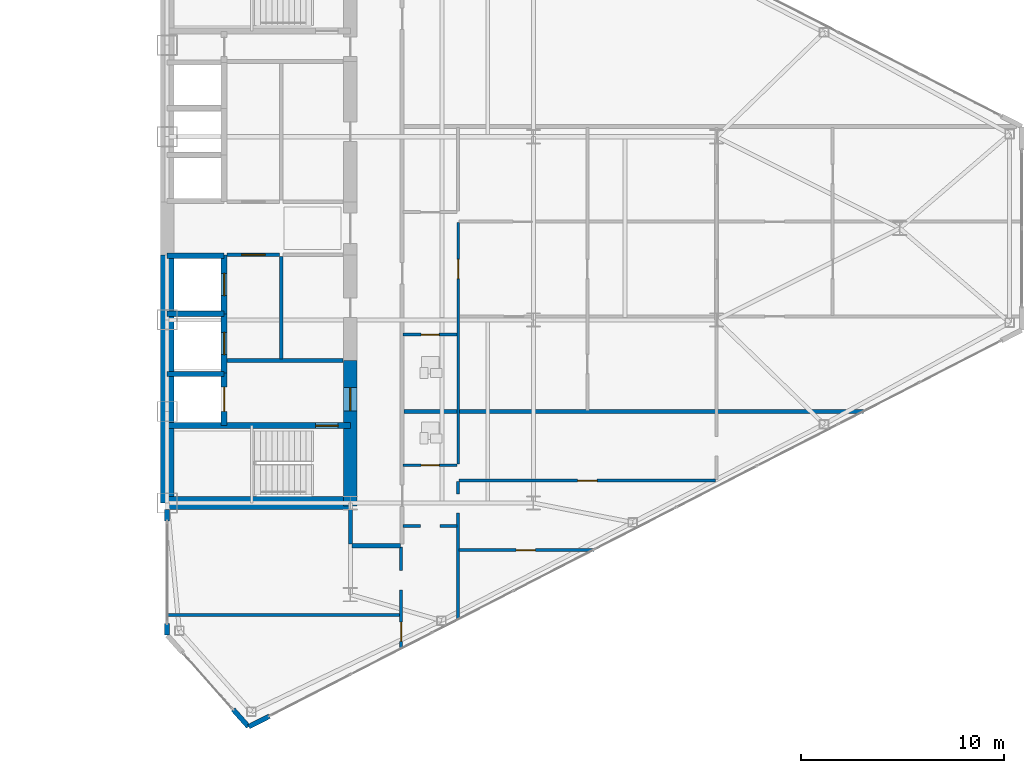
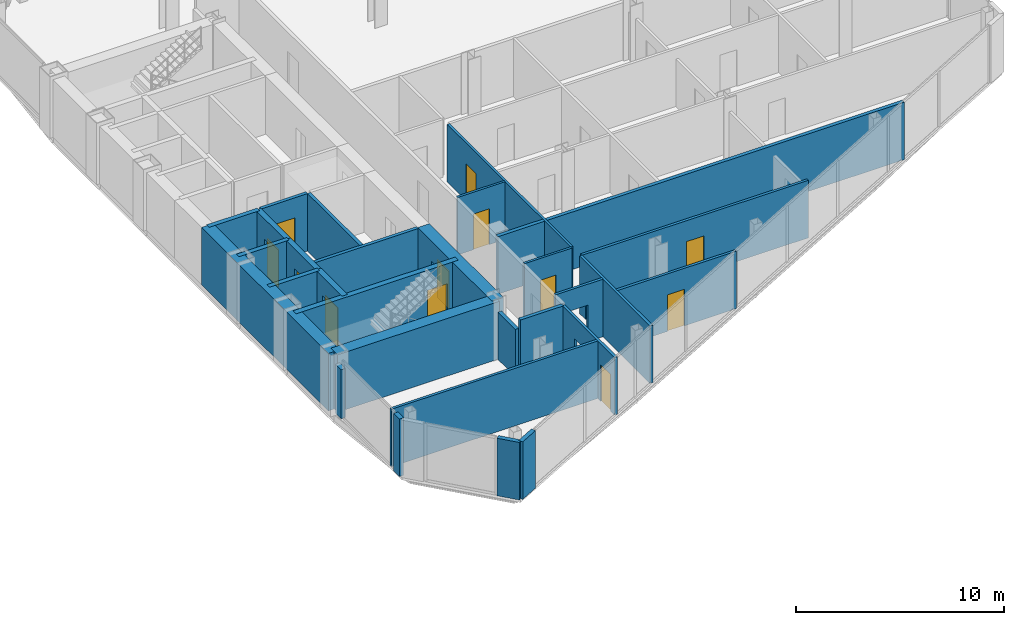
# One storey, part 18 of 23: 29 walls, 12 doors, 15 openings.
"""IFC4 building model written with IfcOpenShell, lengths in metres."""

from ifc_helpers import new_model, si_unit, direction, frame, frame_2d, origin, place, context, subcontext, project, spatial, rectangle, extrude, source, transform, mapped, material, layer, layer_set, type_object, type_shapes, element, fill, save


model = new_model("IFC4")

# Units and contexts
model_context = context("Model", 3, precision=1e-05, world=origin(), true_north=direction((0.0, 1.0)))
body_context = subcontext(model_context, "Body", "Model", "MODEL_VIEW")
ifc_project = project(units=[si_unit("LENGTHUNIT", "METRE"), si_unit("AREAUNIT", "SQUARE_METRE"), si_unit("VOLUMEUNIT", "CUBIC_METRE"), si_unit("PLANEANGLEUNIT", "RADIAN"), si_unit("MASSUNIT", "GRAM", prefix="KILO")], contexts=[model_context])

# Site, building, storey
site_placement = place(None, origin())
site = spatial("IfcSite", under=ifc_project, at=site_placement, CompositionType="ELEMENT")
building_placement = place(site_placement, origin())
building = spatial("IfcBuilding", under=site, at=building_placement, Name="Seokmaru Belvedere", CompositionType="ELEMENT")
storey_placement = place(building_placement, frame((0.0, 0.0, 128.39990234375)))
storey = spatial("IfcBuildingStorey", under=building, at=storey_placement, Name="L34", CompositionType="ELEMENT", Elevation=128.39990234375)

# Wall
ifc_material_1 = material(Name="Fire-Rated Gypsum Shaftwall")
ifc_layer_1 = layer(ifc_material_1, 0.14990234375)
ifc_layer_set_1 = layer_set([ifc_layer_1], Name="Fire-Rated Gypsum Shaftwall")
wall_type_1 = type_object("IfcWallType", Name="Apartment Fire-Acoustic Room Partition 150", PredefinedType="PARTITIONING", material=ifc_layer_set_1)
wall_1_placement = place(storey_placement, frame((27.465087890625, -19.0, 0.0), z_axis=(0.0, 0.0, 1.0), x_axis=(1.0, 0.0, 0.0)))
element("IfcWall", 1, at=wall_1_placement, inside=storey, type_object=wall_type_1, Name="L34 Interior Partition 001", PredefinedType="PARTITIONING", context=body_context, shape_type="SweptSolid", body=[
    extrude(rectangle(XDim=11.48486328125, YDim=0.14990234375, at=frame_2d((5.742431640625, 0.0))), origin(), (0.0, 0.0, 1.0), 3.380126953125),
])

# Wall, opening, door
wall_2_placement = place(storey_placement, frame((41.85009765625, -15.81005859375, 0.0), z_axis=(0.0, 0.0, 1.0), x_axis=(1.0, 0.0, 0.0)))
wall_2 = element("IfcWall", 2, at=wall_2_placement, inside=storey, type_object=wall_type_1, Name="L34 Interior Partition 002", PredefinedType="PARTITIONING", context=body_context, shape_type="SweptSolid", body=[
    extrude(rectangle(XDim=6.619873046875, YDim=0.14990234375, at=frame_2d((3.31005859375, 0.0))), origin(), (0.0, 0.0, 1.0), 3.380126953125),
])
opening_1_placement = place(wall_2_placement, frame((2.79248046875, 0.0, 0.0)))
opening_1 = element("IfcOpeningElement", 3, at=opening_1_placement, cuts=wall_2, Name="Opening D05", PredefinedType="OPENING", context=body_context, shape_type="SweptSolid", body=[
    extrude(rectangle(XDim=0.949951171875, YDim=2.14990234375, at=frame_2d((0.47509765625, 1.074951171875))), frame((0.0, 0.0849609375, 0.0), z_axis=(0.0, -1.0, 0.0), x_axis=(1.0, 0.0, 0.0)), (0.0, 0.0, 1.0), 0.169921875),
])
ifc_material_2 = material(Name="Engineered White Oak Timber", Category="wood")
door_type_1 = type_object("IfcDoorType", Name="Apartment Interior Fire-Rated Oak Door 950x2150", OperationType="NOTDEFINED", PredefinedType="DOOR", material=ifc_material_2)
shared_shape_1 = source(origin(), body_context, "Body", "SweptSolid", [
    extrude(rectangle(XDim=0.949951171875, YDim=2.14990234375, at=frame_2d((0.47509765625, 1.074951171875))), frame((0.0, 0.02490234375, 0.0), z_axis=(0.0, -1.0, 0.0), x_axis=(1.0, 0.0, 0.0)), (0.0, 0.0, 1.0), 0.050048828125),
])
type_shapes(door_type_1, [shared_shape_1])
door_1_placement = place(opening_1_placement, origin())
door_1 = element("IfcDoor", 4, at=door_1_placement, inside=storey, type_object=door_type_1, Name="L34 Interior Door 019", OperationType="SINGLE_SWING_RIGHT", OverallHeight=2.14990234375, OverallWidth=0.949951171875, PredefinedType="DOOR", context=body_context, shape_type="MappedRepresentation", body=[
    mapped(shared_shape_1, transform((0.0, 0.0, 0.0), scale=1.0)),
])
fill(opening_1, door_1)

# Wall, opening
wall_3_placement = place(storey_placement, frame((39.10009765625, -14.639892578125, 0.0), z_axis=(0.0, 0.0, 1.0), x_axis=(1.0, 0.0, 0.0)))
wall_3 = element("IfcWall", 5, at=wall_3_placement, inside=storey, type_object=wall_type_1, Name="L34 Interior Partition 005", PredefinedType="PARTITIONING", context=body_context, shape_type="SweptSolid", body=[
    extrude(rectangle(XDim=2.64990234375, YDim=0.14990234375, at=frame_2d((1.324951171875, 0.0))), origin(), (0.0, 0.0, 1.0), 3.380126953125),
])
opening_2_placement = place(wall_3_placement, frame((0.85009765625, 0.0, 0.0)))
element("IfcOpeningElement", 6, at=opening_2_placement, cuts=wall_3, Name="L34 Cased Opening 017", PredefinedType="OPENING", context=body_context, shape_type="SweptSolid", body=[
    extrude(rectangle(XDim=0.949951171875, YDim=2.14990234375, at=frame_2d((0.47509765625, 1.074951171875))), frame((0.0, 0.0849609375, 0.0), z_axis=(0.0, -1.0, 0.0), x_axis=(1.0, 0.0, 0.0)), (0.0, 0.0, 1.0), 0.169921875),
])

# Wall, opening, door
wall_4_placement = place(storey_placement, frame((41.85009765625, -12.39990234375, 0.0), z_axis=(0.0, 0.0, 1.0), x_axis=(1.0, 0.0, 0.0)))
wall_4 = element("IfcWall", 7, at=wall_4_placement, inside=storey, type_object=wall_type_1, Name="L34 Interior Partition 006", PredefinedType="PARTITIONING", context=body_context, shape_type="SweptSolid", body=[
    extrude(rectangle(XDim=12.599853515625, YDim=0.14990234375, at=frame_2d((6.2998046875, 0.0))), origin(), (0.0, 0.0, 1.0), 3.380126953125),
])
opening_3_placement = place(wall_4_placement, frame((5.824951171875, 0.0, 0.0)))
opening_3 = element("IfcOpeningElement", 8, at=opening_3_placement, cuts=wall_4, Name="Opening D05", PredefinedType="OPENING", context=body_context, shape_type="SweptSolid", body=[
    extrude(rectangle(XDim=0.949951171875, YDim=2.14990234375, at=frame_2d((0.47509765625, 1.074951171875))), frame((0.0, 0.0849609375, 0.0), z_axis=(0.0, -1.0, 0.0), x_axis=(1.0, 0.0, 0.0)), (0.0, 0.0, 1.0), 0.169921875),
])
door_2_placement = place(opening_3_placement, origin())
door_2 = element("IfcDoor", 9, at=door_2_placement, inside=storey, type_object=door_type_1, Name="L34 Interior Door 020", OperationType="SINGLE_SWING_LEFT", OverallHeight=2.14990234375, OverallWidth=0.949951171875, PredefinedType="DOOR", context=body_context, shape_type="MappedRepresentation", body=[
    mapped(shared_shape_1, transform((0.0, 0.0, 0.0), scale=1.0)),
])
fill(opening_3, door_2)

# Wall, openings, door
wall_5_placement = place(storey_placement, frame((39.0, -20.68603515625, 0.0), z_axis=(0.0, 0.0, 1.0), x_axis=(0.0, 1.0, 0.0)))
wall_5 = element("IfcWall", 10, at=wall_5_placement, inside=storey, type_object=wall_type_1, Name="L34 Interior Partition 031", PredefinedType="PARTITIONING", context=body_context, shape_type="SweptSolid", body=[
    extrude(rectangle(XDim=5.0361328125, YDim=0.14990234375, at=frame_2d((2.51806640625, 0.0))), origin(), (0.0, 0.0, 1.0), 3.380126953125),
])
opening_4_placement = place(wall_5_placement, frame((0.385498046875, 0.0, 0.0)))
opening_4 = element("IfcOpeningElement", 11, at=opening_4_placement, cuts=wall_5, Name="Opening D05", PredefinedType="OPENING", context=body_context, shape_type="SweptSolid", body=[
    extrude(rectangle(XDim=0.949951171875, YDim=2.14990234375, at=frame_2d((0.47509765625, 1.074951171875))), frame((0.0, 0.0849609375, 0.0), z_axis=(0.0, -1.0, 0.0), x_axis=(1.0, 0.0, 0.0)), (0.0, 0.0, 1.0), 0.169921875),
])
opening_5_placement = place(wall_5_placement, frame((2.910888671875, 0.0, 0.0)))
element("IfcOpeningElement", 12, at=opening_5_placement, cuts=wall_5, Name="L34 Cased Opening 022", PredefinedType="OPENING", context=body_context, shape_type="SweptSolid", body=[
    extrude(rectangle(XDim=0.949951171875, YDim=2.14990234375, at=frame_2d((0.47509765625, 1.074951171875))), frame((0.0, 0.0849609375, 0.0), z_axis=(0.0, -1.0, 0.0), x_axis=(1.0, 0.0, 0.0)), (0.0, 0.0, 1.0), 0.169921875),
])
door_3_placement = place(opening_4_placement, origin())
door_3 = element("IfcDoor", 13, at=door_3_placement, inside=storey, type_object=door_type_1, Name="L34 Interior Door 021", OperationType="SINGLE_SWING_LEFT", OverallHeight=2.14990234375, OverallWidth=0.949951171875, PredefinedType="DOOR", context=body_context, shape_type="MappedRepresentation", body=[
    mapped(shared_shape_1, transform((0.0, 0.0, 0.0), scale=1.0)),
])
fill(opening_4, door_3)

# Wall, opening
wall_6_placement = place(storey_placement, frame((41.800048828125, -19.25, 0.0), z_axis=(0.0, 0.0, 1.0), x_axis=(0.0, 1.0, 0.0)))
wall_6 = element("IfcWall", 14, at=wall_6_placement, inside=storey, type_object=wall_type_1, Name="L34 Interior Partition 033", PredefinedType="PARTITIONING", context=body_context, shape_type="SweptSolid", body=[
    extrude(rectangle(XDim=6.794921875, YDim=0.14990234375, at=frame_2d((3.3974609375, 0.0))), origin(), (0.0, 0.0, 1.0), 3.380126953125),
])
opening_6_placement = place(wall_6_placement, frame((5.25, 0.0, 0.0)))
element("IfcOpeningElement", 15, at=opening_6_placement, cuts=wall_6, Name="L34 Cased Opening 018", PredefinedType="OPENING", context=body_context, shape_type="SweptSolid", body=[
    extrude(rectangle(XDim=0.949951171875, YDim=2.14990234375, at=frame_2d((0.47509765625, 1.074951171875))), frame((0.0, 0.0849609375, 0.0), z_axis=(0.0, -1.0, 0.0), x_axis=(1.0, 0.0, 0.0)), (0.0, 0.0, 1.0), 0.169921875),
])

# Walls
ifc_layer_2 = layer(ifc_material_1, 0.179931640625)
ifc_layer_set_2 = layer_set([ifc_layer_2], Name="Fire-Rated Gypsum Shaftwall")
wall_type_2 = type_object("IfcWallType", Name="Core Service Fire Partition 180", PredefinedType="PARTITIONING", material=ifc_layer_set_2)
wall_7_placement = place(storey_placement, frame((30.449951171875, -6.5, 0.0), z_axis=(0.0, 0.0, 1.0), x_axis=(1.0, 0.0, 0.0)))
element("IfcWall", 16, at=wall_7_placement, inside=storey, type_object=wall_type_2, Name="L34 East Firefighting Lobby Partition", PredefinedType="PARTITIONING", context=body_context, shape_type="SweptSolid", body=[
    extrude(rectangle(XDim=5.699951171875, YDim=0.179931640625, at=frame_2d((2.85009765625, 0.0))), origin(), (0.0, 0.0, 1.0), 3.380126953125),
])
wall_8_placement = place(storey_placement, frame((33.10009765625, -6.419921875, 0.0), z_axis=(0.0, 0.0, 1.0), x_axis=(0.0, 1.0, 0.0)))
element("IfcWall", 17, at=wall_8_placement, inside=storey, type_object=wall_type_2, Name="L34 East South Core Service Back Wall", PredefinedType="PARTITIONING", context=body_context, shape_type="SweptSolid", body=[
    extrude(rectangle(XDim=5.0400390625, YDim=0.179931640625, at=frame_2d((2.52001953125, 0.0))), origin(), (0.0, 0.0, 1.0), 3.380126953125),
])

# Wall, opening, door
wall_9_placement = place(storey_placement, frame((30.449951171875, -1.300048828125, 0.0), z_axis=(0.0, 0.0, 1.0), x_axis=(1.0, 0.0, 0.0)))
wall_9 = element("IfcWall", 18, at=wall_9_placement, inside=storey, type_object=wall_type_2, Name="L34 East South Lift Lobby Foyer Wall", PredefinedType="PARTITIONING", context=body_context, shape_type="SweptSolid", body=[
    extrude(rectangle(XDim=2.570068359375, YDim=0.179931640625, at=frame_2d((1.28515625, 0.0))), origin(), (0.0, 0.0, 1.0), 3.380126953125),
])
opening_7_placement = place(wall_9_placement, frame((0.7099609375, 0.0, 0.0)))
opening_7 = element("IfcOpeningElement", 19, at=opening_7_placement, cuts=wall_9, Name="Opening D02", PredefinedType="OPENING", context=body_context, shape_type="SweptSolid", body=[
    extrude(rectangle(XDim=1.14990234375, YDim=2.199951171875, at=frame_2d((0.574951171875, 1.10009765625))), frame((0.0, 0.10009765625, 0.0), z_axis=(0.0, -1.0, 0.0), x_axis=(1.0, 0.0, 0.0)), (0.0, 0.0, 1.0), 0.199951171875),
])
ifc_material_3 = material(Name="Fire-Rated Steel Leaf", Category="steel")
door_type_2 = type_object("IfcDoorType", Name="Lobby and Vestibule Fire Door 1150x2200", OperationType="NOTDEFINED", PredefinedType="DOOR", material=ifc_material_3)
shared_shape_2 = source(origin(), body_context, "Body", "SweptSolid", [
    extrude(rectangle(XDim=1.14990234375, YDim=2.199951171875, at=frame_2d((0.574951171875, 1.10009765625))), frame((0.0, 0.02490234375, 0.0), z_axis=(0.0, -1.0, 0.0), x_axis=(1.0, 0.0, 0.0)), (0.0, 0.0, 1.0), 0.050048828125),
])
type_shapes(door_type_2, [shared_shape_2])
door_4_placement = place(opening_7_placement, origin())
door_4 = element("IfcDoor", 20, at=door_4_placement, inside=storey, type_object=door_type_2, Name="L34 East South Core Foyer Door", OperationType="SINGLE_SWING_RIGHT", OverallHeight=2.199951171875, OverallWidth=1.14990234375, PredefinedType="DOOR", context=body_context, shape_type="MappedRepresentation", body=[
    mapped(shared_shape_2, transform((0.0, 0.0, 0.0), scale=1.0)),
])
fill(opening_7, door_4)

# Walls
ifc_material_4 = material(Name="Concrete C50 (50 MPa)", Category="concrete")
ifc_layer_3 = layer(ifc_material_4, 0.25)
ifc_layer_set_3 = layer_set([ifc_layer_3], Name="Concrete C50 (50 MPa)")
wall_type_3 = type_object("IfcWallType", Name="Hoistway Transverse Concrete Divider Wall 250", PredefinedType="SHEAR", material=ifc_layer_set_3)
for number, where, z_axis, x_axis, name in (
    (21, (27.5, -7.14990234375, 0.0), (0.0, 0.0, 1.0), (1.0, 0.0, 0.0), "L34 East Hoistway Divider Core Wall 1"),
    (22, (27.5, -4.199951171875, 0.0), (0.0, 0.0, 1.0), (1.0, 0.0, 0.0), "L34 East Hoistway Divider Core Wall 2"),
    (23, (27.5, -1.35009765625, 0.0), (0.0, 0.0, 1.0), (1.0, 0.0, 0.0), "L34 East Hoistway Divider Core Wall 3"),
):
    element("IfcWall", number, at=place(storey_placement, frame(where, z_axis=z_axis, x_axis=x_axis)), inside=storey, type_object=wall_type_3, Name=name, PredefinedType="SHEAR", context=body_context, shape_type="SweptSolid", body=[
        extrude(rectangle(XDim=2.800048828125, YDim=0.25, at=frame_2d((1.39990234375, 0.0))), origin(), (0.0, 0.0, 1.0), 3.380126953125),
    ])
ifc_layer_4 = layer(ifc_material_1, 0.199951171875)
ifc_layer_set_4 = layer_set([ifc_layer_4], Name="Fire-Rated Gypsum Shaftwall")
wall_type_4 = type_object("IfcWallType", Name="Inter-Tenancy Fire Compartment Partition 200", PredefinedType="PARTITIONING", material=ifc_layer_set_4)
wall_10_placement = place(storey_placement, frame((36.5849609375, -15.60009765625, 0.0), z_axis=(0.0, 0.0, 1.0), x_axis=(1.0, 0.0, 0.0)))
element("IfcWall", 24, at=wall_10_placement, inside=storey, type_object=wall_type_4, Name="L34 Interior Partition 004", PredefinedType="PARTITIONING", context=body_context, shape_type="SweptSolid", body=[
    extrude(rectangle(XDim=2.380126953125, YDim=0.199951171875, at=frame_2d((1.18994140625, 0.0))), origin(), (0.0, 0.0, 1.0), 3.380126953125),
])
wall_11_placement = place(storey_placement, frame((39.1298828125, -9.0, 0.0), z_axis=(0.0, 0.0, 1.0), x_axis=(1.0, 0.0, 0.0)))
element("IfcWall", 25, at=wall_11_placement, inside=storey, type_object=wall_type_4, Name="L34 Interior Partition 008", PredefinedType="PARTITIONING", context=body_context, shape_type="SweptSolid", body=[
    extrude(rectangle(XDim=22.586181640625, YDim=0.199951171875, at=frame_2d((11.29296875, 0.0))), origin(), (0.0, 0.0, 1.0), 3.380126953125),
])
wall_12_placement = place(storey_placement, frame((36.5, -15.514892578125, 0.0), z_axis=(0.0, 0.0, 1.0), x_axis=(0.0, 1.0, 0.0)))
element("IfcWall", 26, at=wall_12_placement, inside=storey, type_object=wall_type_4, Name="L34 Interior Partition 029", PredefinedType="PARTITIONING", context=body_context, shape_type="SweptSolid", body=[
    extrude(rectangle(XDim=1.684814453125, YDim=0.199951171875, at=frame_2d((0.84228515625, 0.0))), origin(), (0.0, 0.0, 1.0), 2.780029296875),
])

# Wall, opening, door
ifc_layer_5 = layer(ifc_material_4, 0.300048828125)
ifc_layer_set_5 = layer_set([ifc_layer_5], Name="Concrete C50 (50 MPa)")
wall_type_5 = type_object("IfcWallType", Name="Internal Core Stair and Hoistway Wall 300", PredefinedType="SHEAR", material=ifc_layer_set_5)
wall_13_placement = place(storey_placement, frame((27.5, -9.699951171875, 0.0), z_axis=(0.0, 0.0, 1.0), x_axis=(1.0, 0.0, 0.0)))
wall_13 = element("IfcWall", 27, at=wall_13_placement, inside=storey, type_object=wall_type_5, Name="L34 East Stair ST-1 Enclosure Wall", PredefinedType="SHEAR", context=body_context, shape_type="SweptSolid", body=[
    extrude(rectangle(XDim=9.0, YDim=0.300048828125, at=frame_2d((4.5, 0.0))), origin(), (0.0, 0.0, 1.0), 3.380126953125),
])
opening_8_placement = place(wall_13_placement, frame((7.300048828125, 0.0, 0.0)))
opening_8 = element("IfcOpeningElement", 28, at=opening_8_placement, cuts=wall_13, Name="Opening D01", PredefinedType="OPENING", context=body_context, shape_type="SweptSolid", body=[
    extrude(rectangle(XDim=1.10009765625, YDim=2.199951171875, at=frame_2d((0.550048828125, 1.10009765625))), frame((0.0, 0.16015625, 0.0), z_axis=(0.0, -1.0, 0.0), x_axis=(1.0, 0.0, 0.0)), (0.0, 0.0, 1.0), 0.320068359375),
])
door_type_3 = type_object("IfcDoorType", Name="Special Escape Stair Smokeproof Fire Door 1100x2200", OperationType="NOTDEFINED", PredefinedType="DOOR", material=ifc_material_3)
shared_shape_3 = source(origin(), body_context, "Body", "SweptSolid", [
    extrude(rectangle(XDim=1.10009765625, YDim=2.199951171875, at=frame_2d((0.550048828125, 1.10009765625))), frame((0.0, 0.02490234375, 0.0), z_axis=(0.0, -1.0, 0.0), x_axis=(1.0, 0.0, 0.0)), (0.0, 0.0, 1.0), 0.050048828125),
])
type_shapes(door_type_3, [shared_shape_3])
door_5_placement = place(opening_8_placement, frame((1.10009765625, 0.0, 0.0), z_axis=(0.0, 0.0, 1.0), x_axis=(-1.0, 0.0, 0.0)))
door_5 = element("IfcDoor", 29, at=door_5_placement, inside=storey, type_object=door_type_3, Name="L34 East Special Escape Stair ST-1 Door", OperationType="SINGLE_SWING_RIGHT", OverallHeight=2.199951171875, OverallWidth=1.10009765625, PredefinedType="DOOR", context=body_context, shape_type="MappedRepresentation", body=[
    mapped(shared_shape_3, transform((0.0, 0.0, 0.0), scale=1.0)),
])
fill(opening_8, door_5)

wall_14_placement = place(storey_placement, frame((30.300048828125, -9.679931640625, 0.0), z_axis=(0.0, 0.0, 1.0), x_axis=(0.0, 1.0, 0.0)))
wall_14 = element("IfcWall", 30, at=wall_14_placement, inside=storey, type_object=wall_type_5, Name="L34 East Firefighting Lift Shaft Front Wall", PredefinedType="SHEAR", context=body_context, shape_type="SweptSolid", body=[
    extrude(rectangle(XDim=2.559814453125, YDim=0.300048828125, at=frame_2d((1.27978515625, 0.0))), origin(), (0.0, 0.0, 1.0), 3.380126953125),
])
opening_9_placement = place(wall_14_placement, frame((0.679931640625, 0.0, 0.0)))
opening_9 = element("IfcOpeningElement", 31, at=opening_9_placement, cuts=wall_14, Name="Opening LD2", PredefinedType="OPENING", context=body_context, shape_type="SweptSolid", body=[
    extrude(rectangle(XDim=1.199951171875, YDim=2.25, at=frame_2d((0.60009765625, 1.125))), frame((0.0, 0.16015625, 0.0), z_axis=(0.0, -1.0, 0.0), x_axis=(1.0, 0.0, 0.0)), (0.0, 0.0, 1.0), 0.320068359375),
])
ifc_material_5 = material(Name="Stainless Steel 316", Category="steel")
door_type_4 = type_object("IfcDoorType", Name="Firefighting Lift Sliding Landing Door 1200x2250", OperationType="DOUBLE_DOOR_SLIDING", PredefinedType="DOOR", material=ifc_material_5)
shared_shape_4 = source(origin(), body_context, "Body", "SweptSolid", [
    extrude(rectangle(XDim=1.199951171875, YDim=2.25, at=frame_2d((0.60009765625, 1.125))), frame((0.0, 0.02490234375, 0.0), z_axis=(0.0, -1.0, 0.0), x_axis=(1.0, 0.0, 0.0)), (0.0, 0.0, 1.0), 0.050048828125),
])
type_shapes(door_type_4, [shared_shape_4])
door_6_placement = place(opening_9_placement, origin())
door_6 = element("IfcDoor", 32, at=door_6_placement, inside=storey, type_object=door_type_4, Name="L34 East Firefighting Lift Landing Door", OperationType="DOUBLE_DOOR_SLIDING", OverallHeight=2.25, OverallWidth=1.199951171875, PredefinedType="DOOR", context=body_context, shape_type="MappedRepresentation", body=[
    mapped(shared_shape_4, transform((0.0, 0.0, 0.0), scale=1.0)),
])
fill(opening_9, door_6)

wall_15_placement = place(storey_placement, frame((30.300048828125, -7.1201171875, 0.0), z_axis=(0.0, 0.0, 1.0), x_axis=(0.0, 1.0, 0.0)))
wall_15 = element("IfcWall", 33, at=wall_15_placement, inside=storey, type_object=wall_type_5, Name="L34 East Low-Rise Lift PL-1 Front Wall", PredefinedType="SHEAR", context=body_context, shape_type="SweptSolid", body=[
    extrude(rectangle(XDim=2.920166015625, YDim=0.300048828125, at=frame_2d((1.4599609375, 0.0))), origin(), (0.0, 0.0, 1.0), 3.380126953125),
])
opening_10_placement = place(wall_15_placement, frame((0.909912109375, 0.0, 0.0)))
opening_10 = element("IfcOpeningElement", 34, at=opening_10_placement, cuts=wall_15, Name="Opening LD1", PredefinedType="OPENING", context=body_context, shape_type="SweptSolid", body=[
    extrude(rectangle(XDim=1.10009765625, YDim=2.199951171875, at=frame_2d((0.550048828125, 1.10009765625))), frame((0.0, 0.16015625, 0.0), z_axis=(0.0, -1.0, 0.0), x_axis=(1.0, 0.0, 0.0)), (0.0, 0.0, 1.0), 0.320068359375),
])
door_type_5 = type_object("IfcDoorType", Name="Passenger Lift Sliding Landing Door 1100x2200", OperationType="DOUBLE_DOOR_SLIDING", PredefinedType="DOOR", material=ifc_material_5)
shared_shape_5 = source(origin(), body_context, "Body", "SweptSolid", [
    extrude(rectangle(XDim=1.10009765625, YDim=2.199951171875, at=frame_2d((0.550048828125, 1.10009765625))), frame((0.0, 0.02490234375, 0.0), z_axis=(0.0, -1.0, 0.0), x_axis=(1.0, 0.0, 0.0)), (0.0, 0.0, 1.0), 0.050048828125),
])
type_shapes(door_type_5, [shared_shape_5])
door_7_placement = place(opening_10_placement, origin())
door_7 = element("IfcDoor", 35, at=door_7_placement, inside=storey, type_object=door_type_5, Name="L34 East Low-Rise Lift PL-1 Landing Door", OperationType="DOUBLE_DOOR_SLIDING", OverallHeight=2.199951171875, OverallWidth=1.10009765625, PredefinedType="DOOR", context=body_context, shape_type="MappedRepresentation", body=[
    mapped(shared_shape_5, transform((0.0, 0.0, 0.0), scale=1.0)),
])
fill(opening_10, door_7)

wall_16_placement = place(storey_placement, frame((30.300048828125, -4.199951171875, 0.0), z_axis=(0.0, 0.0, 1.0), x_axis=(0.0, 1.0, 0.0)))
wall_16 = element("IfcWall", 36, at=wall_16_placement, inside=storey, type_object=wall_type_5, Name="L34 East Low-Rise Lift PL-2 Front Wall", PredefinedType="SHEAR", context=body_context, shape_type="SweptSolid", body=[
    extrude(rectangle(XDim=2.8798828125, YDim=0.300048828125, at=frame_2d((1.43994140625, 0.0))), origin(), (0.0, 0.0, 1.0), 3.380126953125),
])
opening_11_placement = place(wall_16_placement, frame((0.889892578125, 0.0, 0.0)))
opening_11 = element("IfcOpeningElement", 37, at=opening_11_placement, cuts=wall_16, Name="Opening LD1", PredefinedType="OPENING", context=body_context, shape_type="SweptSolid", body=[
    extrude(rectangle(XDim=1.10009765625, YDim=2.199951171875, at=frame_2d((0.550048828125, 1.10009765625))), frame((0.0, 0.16015625, 0.0), z_axis=(0.0, -1.0, 0.0), x_axis=(1.0, 0.0, 0.0)), (0.0, 0.0, 1.0), 0.320068359375),
])
door_8_placement = place(opening_11_placement, origin())
door_8 = element("IfcDoor", 38, at=door_8_placement, inside=storey, type_object=door_type_5, Name="L34 East Low-Rise Lift PL-2 Landing Door", OperationType="DOUBLE_DOOR_SLIDING", OverallHeight=2.199951171875, OverallWidth=1.10009765625, PredefinedType="DOOR", context=body_context, shape_type="MappedRepresentation", body=[
    mapped(shared_shape_5, transform((0.0, 0.0, 0.0), scale=1.0)),
])
fill(opening_11, door_8)

# Walls
ifc_material_6 = material(Name="Concrete C60 (60 MPa)", Category="concrete")
ifc_layer_6 = layer(ifc_material_6, 0.64990234375)
ifc_layer_set_6 = layer_set([ifc_layer_6], Name="Concrete C60 (60 MPa)")
wall_type_6 = type_object("IfcWallType", Name="Mid-Low Reinforced Concrete Core Wall 650", PredefinedType="SHEAR", material=ifc_layer_set_6)
wall_17_placement = place(storey_placement, frame((27.5, -13.5, 0.0), z_axis=(0.0, 0.0, 1.0), x_axis=(0.0, 1.0, 0.0)))
element("IfcWall", 39, at=wall_17_placement, inside=storey, type_object=wall_type_6, Name="L34 East Portal Spine Core Wall South", PredefinedType="SHEAR", context=body_context, shape_type="SweptSolid", body=[
    extrude(rectangle(XDim=12.199951171875, YDim=0.64990234375, at=frame_2d((6.10009765625, 0.0))), origin(), (0.0, 0.0, 1.0), 3.380126953125),
])
wall_18_placement = place(storey_placement, frame((27.5, -13.5, 0.0), z_axis=(0.0, 0.0, 1.0), x_axis=(1.0, 0.0, 0.0)))
element("IfcWall", 40, at=wall_18_placement, inside=storey, type_object=wall_type_6, Name="L34 East South Core Wall", PredefinedType="SHEAR", context=body_context, shape_type="SweptSolid", body=[
    extrude(rectangle(XDim=9.0, YDim=0.64990234375, at=frame_2d((4.5, 0.0))), origin(), (0.0, 0.0, 1.0), 3.380126953125),
])

# Wall, opening, door
wall_19_placement = place(storey_placement, frame((36.5, -13.64990234375, 0.0), z_axis=(0.0, 0.0, 1.0), x_axis=(0.0, 1.0, 0.0)))
wall_19 = element("IfcWall", 41, at=wall_19_placement, inside=storey, type_object=wall_type_6, Name="L34 East West Core Wall FF", PredefinedType="SHEAR", context=body_context, shape_type="SweptSolid", body=[
    extrude(rectangle(XDim=7.14990234375, YDim=0.64990234375, at=frame_2d((3.574951171875, 0.0))), origin(), (0.0, 0.0, 1.0), 3.380126953125),
])
opening_12_placement = place(wall_19_placement, frame((4.675048828125, 0.0, 0.0)))
opening_12 = element("IfcOpeningElement", 42, at=opening_12_placement, cuts=wall_19, Name="Opening D02", PredefinedType="OPENING", context=body_context, shape_type="SweptSolid", body=[
    extrude(rectangle(XDim=1.14990234375, YDim=2.199951171875, at=frame_2d((0.574951171875, 1.10009765625))), frame((0.0, 0.3349609375, 0.0), z_axis=(0.0, -1.0, 0.0), x_axis=(1.0, 0.0, 0.0)), (0.0, 0.0, 1.0), 0.669921875),
])
door_9_placement = place(opening_12_placement, origin())
door_9 = element("IfcDoor", 43, at=door_9_placement, inside=storey, type_object=door_type_2, Name="L34 East Firefighting Lobby Door", OperationType="SINGLE_SWING_RIGHT", OverallHeight=2.199951171875, OverallWidth=1.14990234375, PredefinedType="DOOR", context=body_context, shape_type="MappedRepresentation", body=[
    mapped(shared_shape_2, transform((0.0, 0.0, 0.0), scale=1.0)),
])
fill(opening_12, door_9)

ifc_layer_7 = layer(ifc_material_1, 0.1298828125)
ifc_layer_set_7 = layer_set([ifc_layer_7], Name="Fire-Rated Gypsum Shaftwall")
wall_type_7 = type_object("IfcWallType", Name="Moisture-Resistant Fire-Rated Bathroom Partition 130", PredefinedType="PARTITIONING", material=ifc_layer_set_7)
wall_20_placement = place(storey_placement, frame((39.10009765625, -11.639892578125, 0.0), z_axis=(0.0, 0.0, 1.0), x_axis=(1.0, 0.0, 0.0)))
wall_20 = element("IfcWall", 44, at=wall_20_placement, inside=storey, type_object=wall_type_7, Name="L34 Interior Partition 007", PredefinedType="PARTITIONING", context=body_context, shape_type="SweptSolid", body=[
    extrude(rectangle(XDim=2.64990234375, YDim=0.1298828125, at=frame_2d((1.324951171875, 0.0))), origin(), (0.0, 0.0, 1.0), 3.380126953125),
])
opening_13_placement = place(wall_20_placement, frame((0.885009765625, 0.0, 0.0)))
opening_13 = element("IfcOpeningElement", 45, at=opening_13_placement, cuts=wall_20, Name="Opening D06", PredefinedType="OPENING", context=body_context, shape_type="SweptSolid", body=[
    extrude(rectangle(XDim=0.8798828125, YDim=2.10009765625, at=frame_2d((0.43994140625, 1.050048828125))), frame((0.0, 0.074951171875, 0.0), z_axis=(0.0, -1.0, 0.0), x_axis=(1.0, 0.0, 0.0)), (0.0, 0.0, 1.0), 0.14990234375),
])
door_type_6 = type_object("IfcDoorType", Name="Bathroom and Restroom Fire-Rated Door 880x2100", OperationType="NOTDEFINED", PredefinedType="DOOR", material=ifc_material_2)
shared_shape_6 = source(origin(), body_context, "Body", "SweptSolid", [
    extrude(rectangle(XDim=0.8798828125, YDim=2.10009765625, at=frame_2d((0.43994140625, 1.050048828125))), frame((0.0, 0.02490234375, 0.0), z_axis=(0.0, -1.0, 0.0), x_axis=(1.0, 0.0, 0.0)), (0.0, 0.0, 1.0), 0.050048828125),
])
type_shapes(door_type_6, [shared_shape_6])
door_10_placement = place(opening_13_placement, origin())
door_10 = element("IfcDoor", 46, at=door_10_placement, inside=storey, type_object=door_type_6, Name="L34 Interior Door 016", OperationType="SINGLE_SWING_RIGHT", OverallHeight=2.10009765625, OverallWidth=0.8798828125, PredefinedType="DOOR", context=body_context, shape_type="MappedRepresentation", body=[
    mapped(shared_shape_6, transform((0.0, 0.0, 0.0), scale=1.0)),
])
fill(opening_13, door_10)

wall_21_placement = place(storey_placement, frame((39.10009765625, -5.219970703125, 0.0), z_axis=(0.0, 0.0, 1.0), x_axis=(1.0, 0.0, 0.0)))
wall_21 = element("IfcWall", 47, at=wall_21_placement, inside=storey, type_object=wall_type_7, Name="L34 Interior Partition 010", PredefinedType="PARTITIONING", context=body_context, shape_type="SweptSolid", body=[
    extrude(rectangle(XDim=2.64990234375, YDim=0.1298828125, at=frame_2d((1.324951171875, 0.0))), origin(), (0.0, 0.0, 1.0), 3.380126953125),
])
opening_14_placement = place(wall_21_placement, frame((0.885009765625, 0.0, 0.0)))
opening_14 = element("IfcOpeningElement", 48, at=opening_14_placement, cuts=wall_21, Name="Opening D06", PredefinedType="OPENING", context=body_context, shape_type="SweptSolid", body=[
    extrude(rectangle(XDim=0.8798828125, YDim=2.10009765625, at=frame_2d((0.43994140625, 1.050048828125))), frame((0.0, 0.074951171875, 0.0), z_axis=(0.0, -1.0, 0.0), x_axis=(1.0, 0.0, 0.0)), (0.0, 0.0, 1.0), 0.14990234375),
])
door_11_placement = place(opening_14_placement, origin())
door_11 = element("IfcDoor", 49, at=door_11_placement, inside=storey, type_object=door_type_6, Name="L34 Interior Door 025", OperationType="SINGLE_SWING_RIGHT", OverallHeight=2.10009765625, OverallWidth=0.8798828125, PredefinedType="DOOR", context=body_context, shape_type="MappedRepresentation", body=[
    mapped(shared_shape_6, transform((0.0, 0.0, 0.0), scale=1.0)),
])
fill(opening_14, door_11)

wall_22_placement = place(storey_placement, frame((41.800048828125, -11.594970703125, 0.0), z_axis=(0.0, 0.0, 1.0), x_axis=(0.0, 1.0, 0.0)))
wall_22 = element("IfcWall", 50, at=wall_22_placement, inside=storey, type_object=wall_type_7, Name="L34 Interior Partition 034", PredefinedType="PARTITIONING", context=body_context, shape_type="SweptSolid", body=[
    extrude(rectangle(XDim=11.8779296875, YDim=0.1298828125, at=frame_2d((5.93896484375, 0.0))), origin(), (0.0, 0.0, 1.0), 3.380126953125),
])
opening_15_placement = place(wall_22_placement, frame((9.1201171875, 0.0, 0.0)))
opening_15 = element("IfcOpeningElement", 51, at=opening_15_placement, cuts=wall_22, Name="Opening D05", PredefinedType="OPENING", context=body_context, shape_type="SweptSolid", body=[
    extrude(rectangle(XDim=0.949951171875, YDim=2.14990234375, at=frame_2d((0.47509765625, 1.074951171875))), frame((0.0, 0.074951171875, 0.0), z_axis=(0.0, -1.0, 0.0), x_axis=(1.0, 0.0, 0.0)), (0.0, 0.0, 1.0), 0.14990234375),
])
door_12_placement = place(opening_15_placement, origin())
door_12 = element("IfcDoor", 52, at=door_12_placement, inside=storey, type_object=door_type_1, Name="L34 Interior Door 027", OperationType="SINGLE_SWING_LEFT", OverallHeight=2.14990234375, OverallWidth=0.949951171875, PredefinedType="DOOR", context=body_context, shape_type="MappedRepresentation", body=[
    mapped(shared_shape_1, transform((0.0, 0.0, 0.0), scale=1.0)),
])
fill(opening_15, door_12)

# Walls
ifc_material_7 = material(Name="Anodised Bronze Aluminium", Category="aluminium")
ifc_layer_8 = layer(ifc_material_7, 0.239990234375)
ifc_layer_set_8 = layer_set([ifc_layer_8], Name="Anodised Bronze Aluminium")
wall_type_8 = type_object("IfcWallType", Name="Tower Corner Spandrel Closure Wall 240", PredefinedType="SOLIDWALL", material=ifc_layer_set_8)
wall_23_placement = place(storey_placement, frame((31.5087890625, -24.495361328125, 0.0), z_axis=(0.0, 0.0, 1.0), x_axis=(0.889797395748, 0.456355776255, 0.0)))
element("IfcWall", 53, at=wall_23_placement, inside=storey, type_object=wall_type_8, Name="L34 E Corner Closure Pier 1A", PredefinedType="SOLIDWALL", context=body_context, shape_type="SweptSolid", body=[
    extrude(rectangle(XDim=1.14013671875, YDim=0.239990234375, at=frame_2d((0.570068359375, 0.0))), origin(), (0.0, 0.0, 1.0), 3.380126953125),
])
wall_24_placement = place(storey_placement, frame((27.5, -19.97998046875, 0.0), z_axis=(0.0, 0.0, 1.0), x_axis=(0.0, 1.0, 0.0)))
element("IfcWall", 54, at=wall_24_placement, inside=storey, type_object=wall_type_8, Name="L34 E Spine Closure Pier 1A", PredefinedType="SOLIDWALL", context=body_context, shape_type="SweptSolid", body=[
    extrude(rectangle(XDim=0.550048828125, YDim=0.239990234375, at=frame_2d((0.27490234375, 0.0))), origin(), (0.0, 0.0, 1.0), 3.380126953125),
])
wall_25_placement = place(storey_placement, frame((27.5, -14.3798828125, 0.0), z_axis=(0.0, 0.0, 1.0), x_axis=(0.0, 1.0, 0.0)))
element("IfcWall", 55, at=wall_25_placement, inside=storey, type_object=wall_type_8, Name="L34 E Spine Closure Pier 1B", PredefinedType="SOLIDWALL", context=body_context, shape_type="SweptSolid", body=[
    extrude(rectangle(XDim=0.5498046875, YDim=0.239990234375, at=frame_2d((0.27490234375, 0.0))), origin(), (0.0, 0.0, 1.0), 2.880126953125),
])
wall_26_placement = place(storey_placement, frame((30.736083984375, -23.640380859375, 0.0), z_axis=(0.0, 0.0, 1.0), x_axis=(0.664337252513, -0.747432950119, 0.0)))
element("IfcWall", 56, at=wall_26_placement, inside=storey, type_object=wall_type_8, Name="L34 E Corner Closure Pier 6B", PredefinedType="SOLIDWALL", context=body_context, shape_type="SweptSolid", body=[
    extrude(rectangle(XDim=1.139892578125, YDim=0.239990234375, at=frame_2d((0.56982421875, 0.0))), origin(), (0.0, 0.0, 1.0), 3.380126953125),
])

save(model, "model.ifc")
